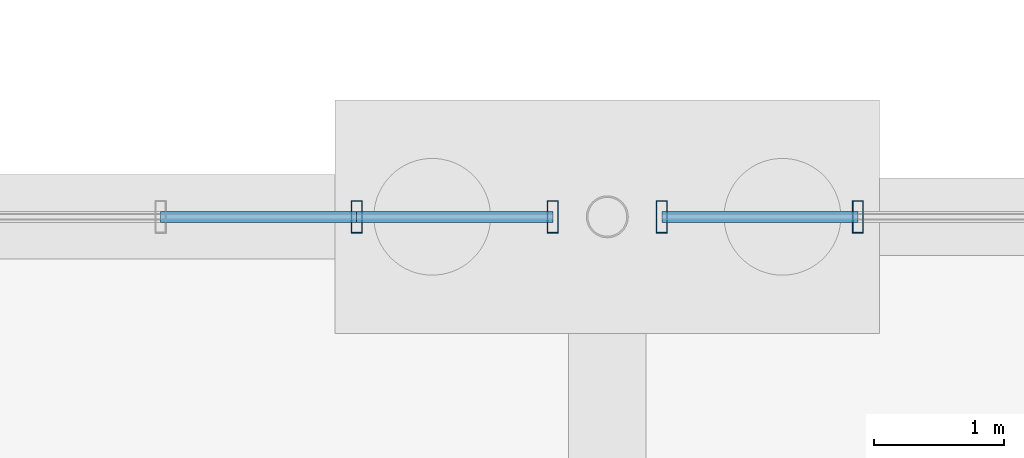
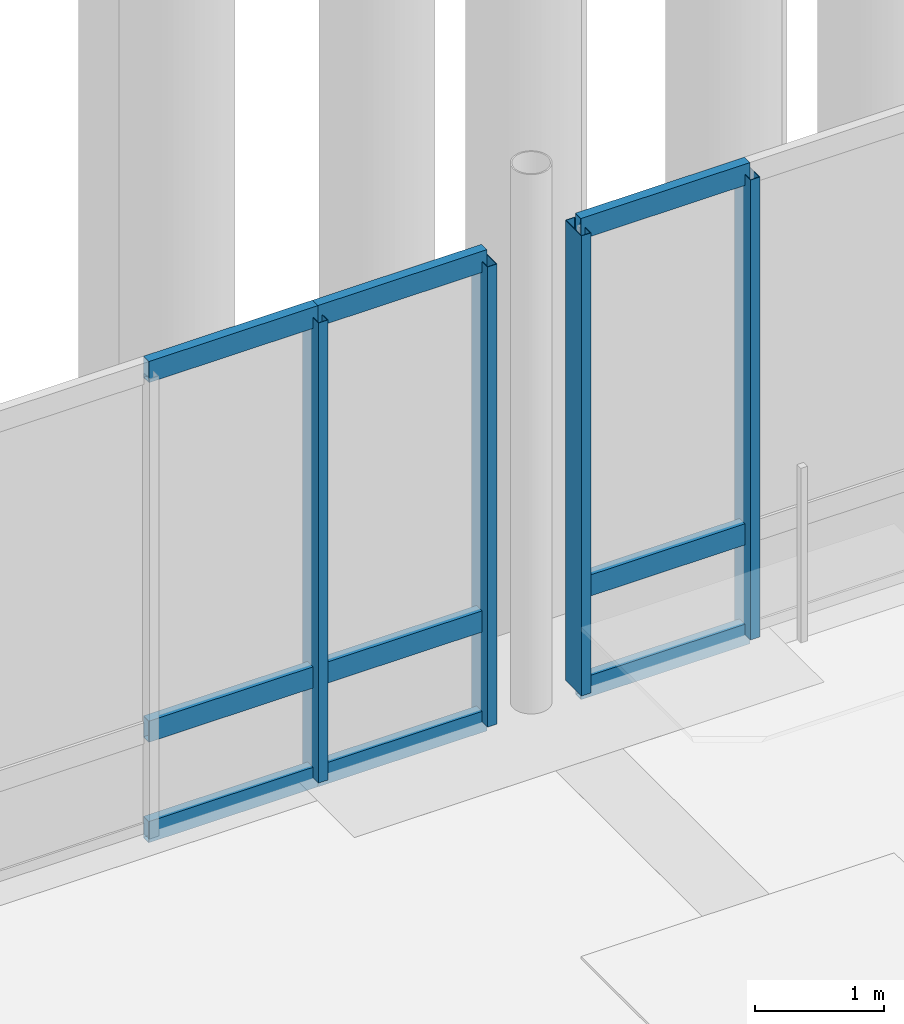
# One storey, part 44 of 119: 13 members, 2 elements without a shape of their own.
"""IFC4 building model written with IfcOpenShell, lengths in metres."""

from ifc_helpers import new_model, si_unit, derived_unit, direction, frame, origin, origin_2d, place, context, subcontext, project, spatial, hollow_rectangle, extrude, material, layer, layer_set, material_profile, profile_set, type_object, element, aggregate, save


model = new_model("IFC4")

# Units and contexts
model_context = context("Model", 3, precision=1e-05, world=origin(), true_north=direction((0.0, 1.0)))
body_context = subcontext(model_context, "Body", "Model", "MODEL_VIEW")
ifc_project = project(units=[si_unit("LENGTHUNIT", "METRE"), si_unit("AREAUNIT", "SQUARE_METRE"), si_unit("VOLUMEUNIT", "CUBIC_METRE"), si_unit("PLANEANGLEUNIT", "RADIAN"), si_unit("MASSUNIT", "GRAM", prefix="KILO"), derived_unit("THERMALTRANSMITTANCEUNIT", [(si_unit("MASSUNIT", "GRAM", prefix="KILO"), 1), (si_unit("TIMEUNIT", "SECOND"), -3), (si_unit("THERMODYNAMICTEMPERATUREUNIT", "KELVIN"), -1)])], contexts=[model_context])

# Site, building, storey
site_placement = place(None, origin())
site = spatial("IfcSite", under=ifc_project, at=site_placement, CompositionType="ELEMENT")
building_placement = place(site_placement, origin())
building = spatial("IfcBuilding", under=site, at=building_placement, Name="Makaiwela Harbour Ferry Terminal", CompositionType="ELEMENT")
storey_placement = place(building_placement, origin())
storey = spatial("IfcBuildingStorey", under=building, at=storey_placement, Name="L00", CompositionType="ELEMENT", Elevation=0.0)

# Curtain wall, members
ifc_material = material(Name="Marine anodised aluminium 6063-T6", Category="aluminium")
ifc_layer = layer(ifc_material, 0.199951171875)
ifc_layer_set = layer_set([ifc_layer], Name="Marine anodised aluminium 6063-T6")
curtain_wall_type = type_object("IfcCurtainWallType", Name="ENV-CW-10", PredefinedType="USERDEFINED", material=ifc_layer_set)
curtain_wall_1_placement = place(storey_placement, origin())
curtain_wall_1 = element("IfcCurtainWall", 1, at=curtain_wall_1_placement, inside=storey, type_object=curtain_wall_type, Name="Unitised Curtain Wall CWA-144", ObjectType="UNITIZED CURTAIN WALL", PredefinedType="USERDEFINED")
ifc_material_profile_1 = material_profile(ifc_material, hollow_rectangle(XDim=0.0849609375, YDim=0.25, WallThickness=0.0048828125, at=origin_2d()), Name="CWM-250X85")
ifc_profile_set_1 = profile_set([ifc_material_profile_1], Name="Marine anodised aluminium 6063-T6")
member_type_1 = type_object("IfcMemberType", Name="CW-MUL-250", PredefinedType="MULLION", material=ifc_profile_set_1)
member_1_placement = place(storey_placement, frame((104.580078125, 33.60009765625, 0.0), z_axis=(0.0, 0.0, 1.0), x_axis=(1.0, 0.0, 0.0)))
member_1 = element("IfcMember", 2, at=member_1_placement, type_object=member_type_1, Name="Curtain Wall Mullion CWA-144-1", PredefinedType="MULLION", context=body_context, shape_type="SweptSolid", body=[
    extrude(hollow_rectangle(XDim=0.0849609375, YDim=0.25, WallThickness=0.0048828125, at=origin_2d()), origin(), (0.0, 0.0, 1.0), 4.35009765625),
])
member_2_placement = place(storey_placement, frame((103.068115234375, 33.60009765625, 0.0), z_axis=(0.0, 0.0, 1.0), x_axis=(1.0, 0.0, 0.0)))
member_2 = element("IfcMember", 3, at=member_2_placement, type_object=member_type_1, Name="Curtain Wall Mullion CWA-144-2", PredefinedType="MULLION", context=body_context, shape_type="SweptSolid", body=[
    extrude(hollow_rectangle(XDim=0.0849609375, YDim=0.25, WallThickness=0.0048828125, at=origin_2d()), origin(), (0.0, 0.0, 1.0), 4.35009765625),
])

curtain_wall_2_placement = place(storey_placement, origin())
curtain_wall_2 = element("IfcCurtainWall", 4, at=curtain_wall_2_placement, inside=storey, type_object=curtain_wall_type, Name="Unitised Curtain Wall CWA-146", ObjectType="UNITIZED CURTAIN WALL", PredefinedType="USERDEFINED")
member_3_placement = place(storey_placement, frame((106.931884765625, 33.60009765625, 0.0), z_axis=(0.0, 0.0, 1.0), x_axis=(1.0, 0.0, 0.0)))
member_3 = element("IfcMember", 5, at=member_3_placement, type_object=member_type_1, Name="Curtain Wall Mullion CWA-146-5", PredefinedType="MULLION", context=body_context, shape_type="SweptSolid", body=[
    extrude(hollow_rectangle(XDim=0.0849609375, YDim=0.25, WallThickness=0.0048828125, at=origin_2d()), origin(), (0.0, 0.0, 1.0), 4.35009765625),
])
member_4_placement = place(storey_placement, frame((105.419921875, 33.60009765625, 0.0), z_axis=(0.0, 0.0, 1.0), x_axis=(1.0, 0.0, 0.0)))
member_4 = element("IfcMember", 6, at=member_4_placement, type_object=member_type_1, Name="Curtain Wall Mullion CWA-146-6", PredefinedType="MULLION", context=body_context, shape_type="SweptSolid", body=[
    extrude(hollow_rectangle(XDim=0.0849609375, YDim=0.25, WallThickness=0.0048828125, at=origin_2d()), origin(), (0.0, 0.0, 1.0), 4.35009765625),
])

# Member
ifc_material_profile_2 = material_profile(ifc_material, hollow_rectangle(XDim=0.0849609375, YDim=0.199951171875, WallThickness=0.0048828125, at=origin_2d()), Name="CWT-200X85")
ifc_profile_set_2 = profile_set([ifc_material_profile_2], Name="Marine anodised aluminium 6063-T6")
member_type_2 = type_object("IfcMemberType", Name="CW-TRN-200", PredefinedType="USERDEFINED", material=ifc_profile_set_2)
member_5_placement = place(storey_placement, frame((104.580078125, 33.60009765625, 0.0), z_axis=(-1.0, 0.0, 0.0), x_axis=(0.0, -1.0, 0.0)))
member_5 = element("IfcMember", 7, at=member_5_placement, type_object=member_type_2, Name="Curtain Wall Transom CWA-144-1-1", ObjectType="TRANSOM", PredefinedType="USERDEFINED", context=body_context, shape_type="SweptSolid", body=[
    extrude(hollow_rectangle(XDim=0.0849609375, YDim=0.199951171875, WallThickness=0.0048828125, at=origin_2d()), origin(), (0.0, 0.0, 1.0), 1.511962890625),
])

member_6_placement = place(storey_placement, frame((104.580078125, 33.60009765625, 0.949951171875), z_axis=(-1.0, 0.0, 0.0), x_axis=(0.0, -1.0, 0.0)))
member_6 = element("IfcMember", 8, at=member_6_placement, type_object=member_type_2, Name="Curtain Wall Transom CWA-144-1-2", ObjectType="TRANSOM", PredefinedType="USERDEFINED", context=body_context, shape_type="SweptSolid", body=[
    extrude(hollow_rectangle(XDim=0.0849609375, YDim=0.199951171875, WallThickness=0.0048828125, at=origin_2d()), origin(), (0.0, 0.0, 1.0), 1.511962890625),
])

member_7_placement = place(storey_placement, frame((104.580078125, 33.60009765625, 4.35009765625), z_axis=(-1.0, 0.0, 0.0), x_axis=(0.0, -1.0, 0.0)))
member_7 = element("IfcMember", 9, at=member_7_placement, type_object=member_type_2, Name="Curtain Wall Transom CWA-144-1-3", ObjectType="TRANSOM", PredefinedType="USERDEFINED", context=body_context, shape_type="SweptSolid", body=[
    extrude(hollow_rectangle(XDim=0.0849609375, YDim=0.199951171875, WallThickness=0.0048828125, at=origin_2d()), origin(), (0.0, 0.0, 1.0), 1.511962890625),
])

member_8_placement = place(storey_placement, frame((103.068115234375, 33.60009765625, 0.0), z_axis=(-1.0, 0.0, 0.0), x_axis=(0.0, -1.0, 0.0)))
member_8 = element("IfcMember", 10, at=member_8_placement, type_object=member_type_2, Name="Curtain Wall Transom CWA-144-2-1", ObjectType="TRANSOM", PredefinedType="USERDEFINED", context=body_context, shape_type="SweptSolid", body=[
    extrude(hollow_rectangle(XDim=0.0849609375, YDim=0.199951171875, WallThickness=0.0048828125, at=origin_2d()), origin(), (0.0, 0.0, 1.0), 1.51220703125),
])

member_9_placement = place(storey_placement, frame((103.068115234375, 33.60009765625, 0.949951171875), z_axis=(-1.0, 0.0, 0.0), x_axis=(0.0, -1.0, 0.0)))
member_9 = element("IfcMember", 11, at=member_9_placement, type_object=member_type_2, Name="Curtain Wall Transom CWA-144-2-2", ObjectType="TRANSOM", PredefinedType="USERDEFINED", context=body_context, shape_type="SweptSolid", body=[
    extrude(hollow_rectangle(XDim=0.0849609375, YDim=0.199951171875, WallThickness=0.0048828125, at=origin_2d()), origin(), (0.0, 0.0, 1.0), 1.51220703125),
])

member_10_placement = place(storey_placement, frame((103.068115234375, 33.60009765625, 4.35009765625), z_axis=(-1.0, 0.0, 0.0), x_axis=(0.0, -1.0, 0.0)))
member_10 = element("IfcMember", 12, at=member_10_placement, type_object=member_type_2, Name="Curtain Wall Transom CWA-144-2-3", ObjectType="TRANSOM", PredefinedType="USERDEFINED", context=body_context, shape_type="SweptSolid", body=[
    extrude(hollow_rectangle(XDim=0.0849609375, YDim=0.199951171875, WallThickness=0.0048828125, at=origin_2d()), origin(), (0.0, 0.0, 1.0), 1.51220703125),
])

aggregate(curtain_wall_1, [member_1, member_2, member_5, member_6, member_7, member_8, member_9, member_10])

member_11_placement = place(storey_placement, frame((106.931884765625, 33.60009765625, 0.0), z_axis=(-1.0, 0.0, 0.0), x_axis=(0.0, -1.0, 0.0)))
member_11 = element("IfcMember", 13, at=member_11_placement, type_object=member_type_2, Name="Curtain Wall Transom CWA-146-5-1", ObjectType="TRANSOM", PredefinedType="USERDEFINED", context=body_context, shape_type="SweptSolid", body=[
    extrude(hollow_rectangle(XDim=0.0849609375, YDim=0.199951171875, WallThickness=0.0048828125, at=origin_2d()), origin(), (0.0, 0.0, 1.0), 1.511962890625),
])

member_12_placement = place(storey_placement, frame((106.931884765625, 33.60009765625, 0.949951171875), z_axis=(-1.0, 0.0, 0.0), x_axis=(0.0, -1.0, 0.0)))
member_12 = element("IfcMember", 14, at=member_12_placement, type_object=member_type_2, Name="Curtain Wall Transom CWA-146-5-2", ObjectType="TRANSOM", PredefinedType="USERDEFINED", context=body_context, shape_type="SweptSolid", body=[
    extrude(hollow_rectangle(XDim=0.0849609375, YDim=0.199951171875, WallThickness=0.0048828125, at=origin_2d()), origin(), (0.0, 0.0, 1.0), 1.511962890625),
])

member_13_placement = place(storey_placement, frame((106.931884765625, 33.60009765625, 4.35009765625), z_axis=(-1.0, 0.0, 0.0), x_axis=(0.0, -1.0, 0.0)))
member_13 = element("IfcMember", 15, at=member_13_placement, type_object=member_type_2, Name="Curtain Wall Transom CWA-146-5-3", ObjectType="TRANSOM", PredefinedType="USERDEFINED", context=body_context, shape_type="SweptSolid", body=[
    extrude(hollow_rectangle(XDim=0.0849609375, YDim=0.199951171875, WallThickness=0.0048828125, at=origin_2d()), origin(), (0.0, 0.0, 1.0), 1.511962890625),
])

aggregate(curtain_wall_2, [member_3, member_4, member_11, member_12, member_13])

save(model, "model.ifc")
